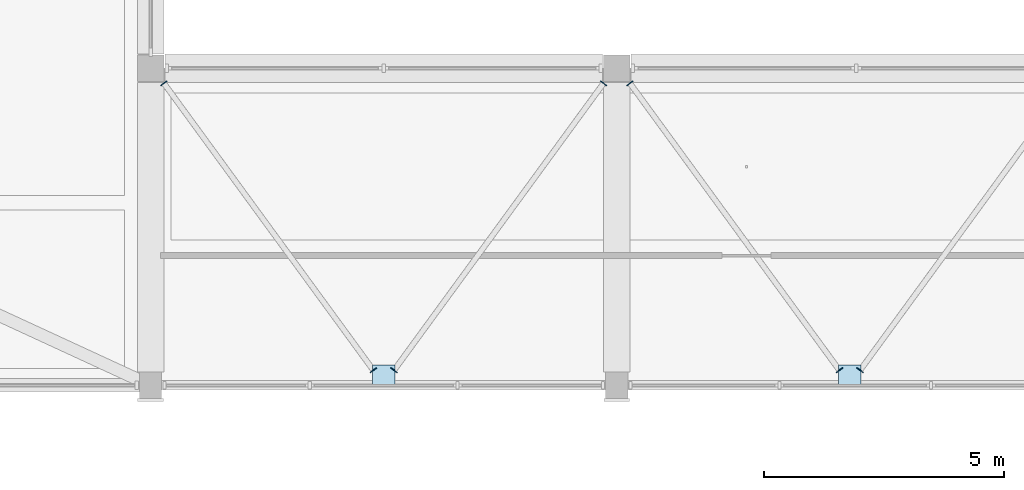
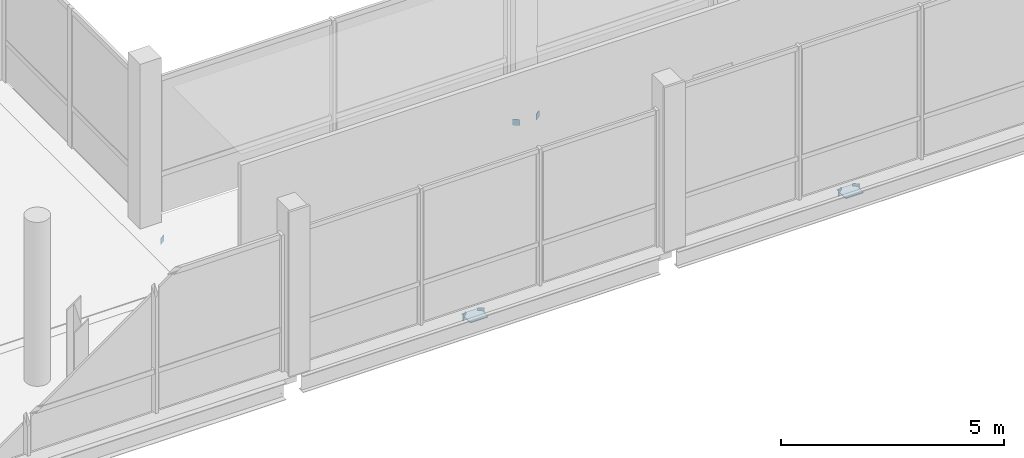
# One storey, part 54 of 95: 9 plates.
"""IFC4 building model written with IfcOpenShell, lengths in metres."""

from ifc_helpers import new_model, si_unit, derived_unit, direction, frame, origin, origin_2d, place, context, subcontext, project, spatial, rectangle, extrude, material, layer, layer_set, type_object, element, save


model = new_model("IFC4")

# Units and contexts
model_context = context("Model", 3, precision=1e-05, world=origin(), true_north=direction((0.0, 1.0)))
body_context = subcontext(model_context, "Body", "Model", "MODEL_VIEW")
ifc_project = project(units=[si_unit("LENGTHUNIT", "METRE"), si_unit("AREAUNIT", "SQUARE_METRE"), si_unit("VOLUMEUNIT", "CUBIC_METRE"), si_unit("PLANEANGLEUNIT", "RADIAN"), si_unit("MASSUNIT", "GRAM", prefix="KILO"), derived_unit("THERMALTRANSMITTANCEUNIT", [(si_unit("POWERUNIT", "WATT"), 1), (si_unit("LENGTHUNIT", "METRE"), -2), (si_unit("THERMODYNAMICTEMPERATUREUNIT", "KELVIN"), -1)])], contexts=[model_context])

# Site, building, storey
site_placement = place(None, origin())
site = spatial("IfcSite", under=ifc_project, at=site_placement, CompositionType="ELEMENT")
building_placement = place(site_placement, origin())
building = spatial("IfcBuilding", under=site, at=building_placement, Name="Braskholm Square Health Centre", CompositionType="ELEMENT")
storey_placement = place(building_placement, frame((0.0, 0.0, 4.800048828125)))
storey = spatial("IfcBuildingStorey", under=building, at=storey_placement, Name="L02", CompositionType="ELEMENT", Elevation=4.800048828125)

# Plates
ifc_material = material(Name="Steel ASTM A572 Grade 50", Category="steel")
ifc_layer_1 = layer(ifc_material, 0.01611328125)
ifc_layer_set_1 = layer_set([ifc_layer_1], Name="Steel ASTM A572 Grade 50")
plate_type_1 = type_object("IfcPlateType", Name="CapPlateHSS152TN8", PredefinedType="USERDEFINED", material=ifc_layer_set_1)
for number, where, z_axis, x_axis, name in (
    (1, (120.675048828125, 93.486083984375, -0.52978515625), (0.0, 0.0, 1.0), (0.589534755664, -0.807743011027, 0.0), "Hollow section end cap plate 0358"),
    (2, (125.034912109375, 87.513916015625, -0.52978515625), (0.0, 0.0, 1.0), (0.589534755664, -0.807743011027, 0.0), "Hollow section end cap plate 0359"),
    (3, (129.824951171875, 93.486083984375, -0.52978515625), (0.0, 0.0, 1.0), (-0.589534755664, -0.807743011027, 0.0), "Hollow section end cap plate 0360"),
    (4, (125.465087890625, 87.513916015625, -0.52978515625), (0.0, 0.0, 1.0), (-0.589534755664, -0.807743011027, 0.0), "Hollow section end cap plate 0361"),
    (5, (130.375, 93.486083984375, -0.52978515625), (0.0, 0.0, 1.0), (0.589534755664, -0.807743011027, 0.0), "Hollow section end cap plate 0363"),
    (6, (134.735107421875, 87.513916015625, -0.52978515625), (0.0, 0.0, 1.0), (0.589534755664, -0.807743011027, 0.0), "Hollow section end cap plate 0364"),
    (7, (135.1650390625, 87.513916015625, -0.52978515625), (0.0, 0.0, 1.0), (-0.589534755664, -0.807743011027, 0.0), "Hollow section end cap plate 0366"),
):
    element("IfcPlate", number, at=place(storey_placement, frame(where, z_axis=z_axis, x_axis=x_axis)), inside=storey, type_object=plate_type_1, Name=name, ObjectType="CAP_PLATE", PredefinedType="USERDEFINED", context=body_context, shape_type="SweptSolid", body=[
        extrude(rectangle(XDim=0.01611328125, YDim=0.159912109375, at=origin_2d()), origin(), (0.0, 0.0, 1.0), 0.159912109375),
    ])
ifc_layer_2 = layer(ifc_material, 0.02001953125)
ifc_layer_set_2 = layer_set([ifc_layer_2], Name="Steel ASTM A572 Grade 50")
plate_type_2 = type_object("IfcPlateType", Name="NodeGussetBottomPanelTN3", PredefinedType="USERDEFINED", material=ifc_layer_set_2)
for number, where, z_axis, x_axis, name in (
    (8, (125.25, 87.419921875, -0.4599609375), (0.0, 0.0, 1.0), (1.0, 0.0, 0.0), "Concourse chevron apex gusset plate 0357"),
    (9, (134.949951171875, 87.419921875, -0.4599609375), (0.0, 0.0, 1.0), (1.0, 0.0, 0.0), "Concourse chevron apex gusset plate 0362"),
):
    element("IfcPlate", number, at=place(storey_placement, frame(where, z_axis=z_axis, x_axis=x_axis)), inside=storey, type_object=plate_type_2, Name=name, ObjectType="GUSSET_PLATE", PredefinedType="USERDEFINED", context=body_context, shape_type="SweptSolid", body=[
        extrude(rectangle(XDim=0.4599609375, YDim=0.39990234375, at=origin_2d()), origin(), (0.0, 0.0, 1.0), 0.02001953125),
    ])

save(model, "model.ifc")
